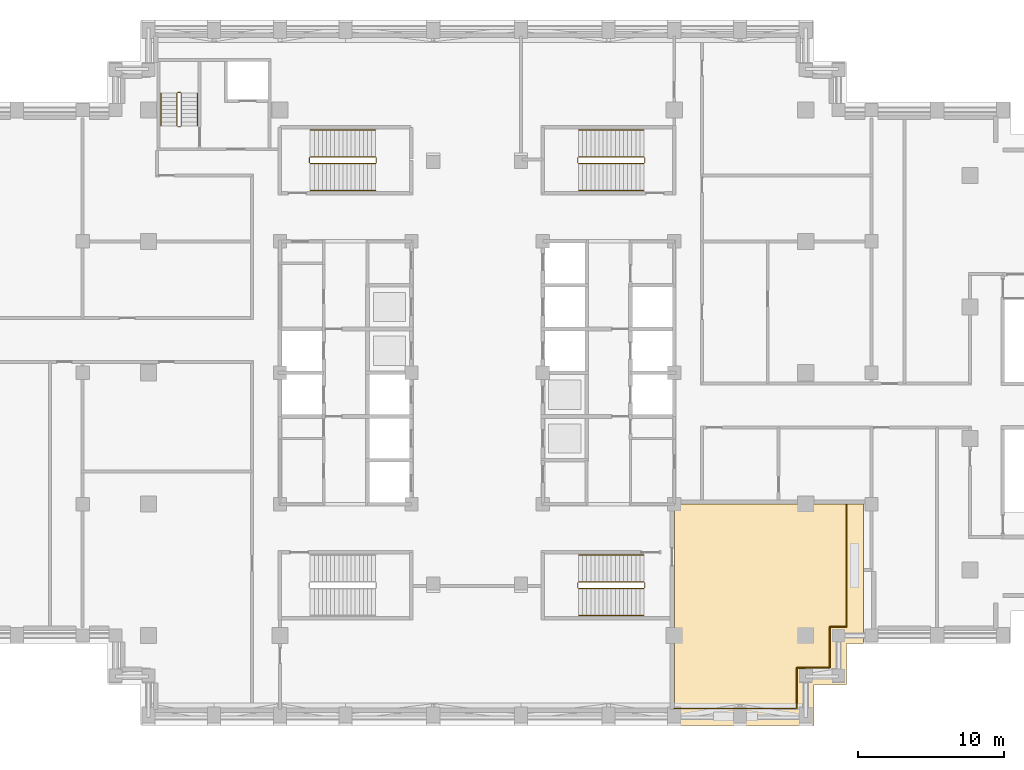
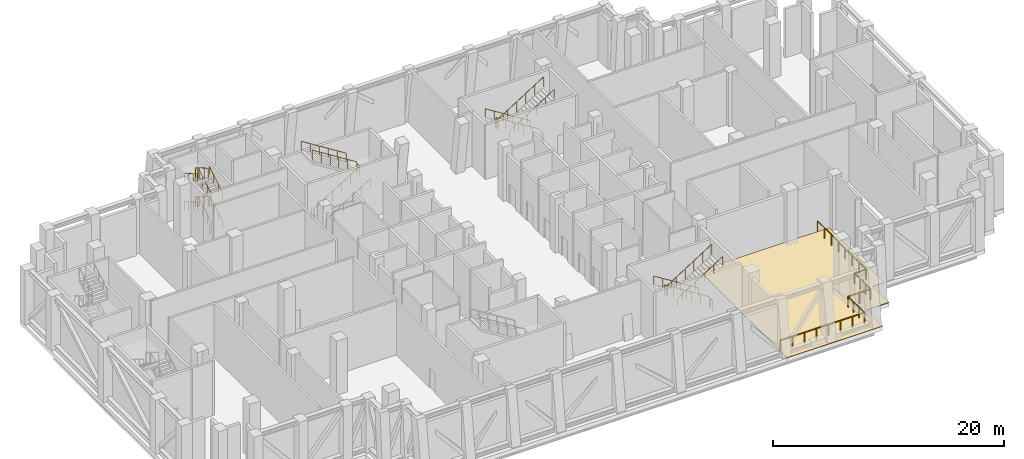
# One storey, part 12 of 14: 5 railings, 1 covering.
"""IFC4 building model written with IfcOpenShell, lengths in metres."""

from ifc_helpers import new_model, si_unit, direction, frame, origin, origin_2d, place, context, subcontext, project, spatial, polyline, circle, outline, extrude, material, layer, layer_set, type_object, element, save


model = new_model("IFC4")

# Units and contexts
model_context = context("Model", 3, precision=1e-05, world=origin(), true_north=direction((0.0, 1.0)))
body_context = subcontext(model_context, "Body", "Model", "MODEL_VIEW")
ifc_project = project(units=[si_unit("LENGTHUNIT", "METRE"), si_unit("AREAUNIT", "SQUARE_METRE"), si_unit("VOLUMEUNIT", "CUBIC_METRE"), si_unit("PLANEANGLEUNIT", "RADIAN"), si_unit("MASSUNIT", "GRAM", prefix="KILO")], contexts=[model_context])

# Site, building, storey
site_placement = place(None, origin())
site = spatial("IfcSite", under=ifc_project, at=site_placement, CompositionType="ELEMENT")
building_placement = place(site_placement, origin())
building = spatial("IfcBuilding", under=site, at=building_placement, Name="Corbelhall Arena Tower", CompositionType="ELEMENT")
storey_placement = place(building_placement, frame((0.0, 0.0, 178.0)))
storey = spatial("IfcBuildingStorey", under=building, at=storey_placement, Name="L36", CompositionType="ELEMENT", Elevation=178.0)

# Railing
ifc_material_1 = material(Name="Steel ASTM A500 Gr C", Category="steel")
railing_type_1 = type_object("IfcRailingType", Name="EV-GD1 Terrace guard 1100", PredefinedType="GUARDRAIL", material=ifc_material_1)
railing_1_placement = place(storey_placement, frame((25.2900390625, -9.0, 0.0400390625)))
element("IfcRailing", 1, at=railing_1_placement, inside=storey, type_object=railing_type_1, Name="Guard", PredefinedType="GUARDRAIL", context=body_context, shape_type="SweptSolid", body=[
    extrude(circle(Radius=0.02392578125, at=origin_2d()), frame((0.0, 0.0, 1.1259765625), z_axis=(0.0, -1.0, 0.0), x_axis=(1.0, 0.0, 0.0)), (0.0, 0.0, 1.0), 8.389892578125),
    extrude(circle(Radius=0.02392578125, at=origin_2d()), frame((0.0, -8.389892578125, 1.1259765625), z_axis=(-1.0, 0.0, 0.0), x_axis=(0.0, -1.0, 0.0)), (0.0, 0.0, 1.0), 1.150146484375),
    extrude(circle(Radius=0.02392578125, at=origin_2d()), frame((-1.150146484375, -8.389892578125, 1.1259765625), z_axis=(0.0, -1.0, 0.0), x_axis=(1.0, 0.0, 0.0)), (0.0, 0.0, 1.0), 2.800048828125),
    extrude(circle(Radius=0.02392578125, at=origin_2d()), frame((-1.150146484375, -11.18994140625, 1.1259765625), z_axis=(-1.0, 0.0, 0.0), x_axis=(0.0, -1.0, 0.0)), (0.0, 0.0, 1.0), 2.25),
    extrude(circle(Radius=0.02392578125, at=origin_2d()), frame((-3.400146484375, -11.18994140625, 1.1259765625), z_axis=(0.0, -1.0, 0.0), x_axis=(1.0, 0.0, 0.0)), (0.0, 0.0, 1.0), 2.800048828125),
    extrude(circle(Radius=0.02392578125, at=origin_2d()), frame((-3.400146484375, -13.989990234375, 1.1259765625), z_axis=(-1.0, 0.0, 0.0), x_axis=(0.0, -1.0, 0.0)), (0.0, 0.0, 1.0), 8.389892578125),
    extrude(circle(Radius=0.02099609375, at=origin_2d()), origin(), (0.0, 0.0, 1.0), 1.101806640625),
    extrude(circle(Radius=0.02099609375, at=origin_2d()), frame((0.0, -1.198486328125, 0.0)), (0.0, 0.0, 1.0), 1.101806640625),
    extrude(circle(Radius=0.02099609375, at=origin_2d()), frame((0.0, -2.397216796875, 0.0)), (0.0, 0.0, 1.0), 1.101806640625),
    extrude(circle(Radius=0.02099609375, at=origin_2d()), frame((0.0, -3.595703125, 0.0)), (0.0, 0.0, 1.0), 1.101806640625),
    extrude(circle(Radius=0.02099609375, at=origin_2d()), frame((0.0, -4.794189453125, 0.0)), (0.0, 0.0, 1.0), 1.101806640625),
    extrude(circle(Radius=0.02099609375, at=origin_2d()), frame((0.0, -5.99267578125, 0.0)), (0.0, 0.0, 1.0), 1.101806640625),
    extrude(circle(Radius=0.02099609375, at=origin_2d()), frame((0.0, -7.19140625, 0.0)), (0.0, 0.0, 1.0), 1.101806640625),
    extrude(circle(Radius=0.02099609375, at=origin_2d()), frame((0.0, -8.389892578125, 0.0)), (0.0, 0.0, 1.0), 1.101806640625),
    extrude(circle(Radius=0.02099609375, at=origin_2d()), frame((-1.150146484375, -8.389892578125, 0.0)), (0.0, 0.0, 1.0), 1.101806640625),
    extrude(circle(Radius=0.02099609375, at=origin_2d()), frame((-1.150146484375, -9.3232421875, 0.0)), (0.0, 0.0, 1.0), 1.101806640625),
    extrude(circle(Radius=0.02099609375, at=origin_2d()), frame((-1.150146484375, -10.256591796875, 0.0)), (0.0, 0.0, 1.0), 1.101806640625),
    extrude(circle(Radius=0.02099609375, at=origin_2d()), frame((-1.150146484375, -11.18994140625, 0.0)), (0.0, 0.0, 1.0), 1.101806640625),
    extrude(circle(Radius=0.02099609375, at=origin_2d()), frame((-2.275146484375, -11.18994140625, 0.0)), (0.0, 0.0, 1.0), 1.101806640625),
    extrude(circle(Radius=0.02099609375, at=origin_2d()), frame((-3.400146484375, -11.18994140625, 0.0)), (0.0, 0.0, 1.0), 1.101806640625),
    extrude(circle(Radius=0.02099609375, at=origin_2d()), frame((-3.400146484375, -12.123291015625, 0.0)), (0.0, 0.0, 1.0), 1.101806640625),
    extrude(circle(Radius=0.02099609375, at=origin_2d()), frame((-3.400146484375, -13.056640625, 0.0)), (0.0, 0.0, 1.0), 1.101806640625),
    extrude(circle(Radius=0.02099609375, at=origin_2d()), frame((-3.400146484375, -13.989990234375, 0.0)), (0.0, 0.0, 1.0), 1.101806640625),
    extrude(circle(Radius=0.02099609375, at=origin_2d()), frame((-4.5986328125, -13.989990234375, 0.0)), (0.0, 0.0, 1.0), 1.101806640625),
    extrude(circle(Radius=0.02099609375, at=origin_2d()), frame((-5.79736328125, -13.989990234375, 0.0)), (0.0, 0.0, 1.0), 1.101806640625),
    extrude(circle(Radius=0.02099609375, at=origin_2d()), frame((-6.995849609375, -13.989990234375, 0.0)), (0.0, 0.0, 1.0), 1.101806640625),
    extrude(circle(Radius=0.02099609375, at=origin_2d()), frame((-8.1943359375, -13.989990234375, 0.0)), (0.0, 0.0, 1.0), 1.101806640625),
    extrude(circle(Radius=0.02099609375, at=origin_2d()), frame((-9.392822265625, -13.989990234375, 0.0)), (0.0, 0.0, 1.0), 1.101806640625),
    extrude(circle(Radius=0.02099609375, at=origin_2d()), frame((-10.591552734375, -13.989990234375, 0.0)), (0.0, 0.0, 1.0), 1.101806640625),
    extrude(circle(Radius=0.02099609375, at=origin_2d()), frame((-11.7900390625, -13.989990234375, 0.0)), (0.0, 0.0, 1.0), 1.101806640625),
])

# Covering
ifc_material_2 = material(Name="Granite paving", Category="masonry")
ifc_layer = layer(ifc_material_2, 0.0400390625)
ifc_layer_set = layer_set([ifc_layer], Name="EV-PV1 Terrace paving 40")
covering_type = type_object("IfcCoveringType", Name="EV-PV1 Terrace paving 40", PredefinedType="FLOORING", material=ifc_layer_set)
covering_placement = place(storey_placement, origin())
element("IfcCovering", 2, at=covering_placement, inside=storey, type_object=covering_type, Name="Terrace paving", PredefinedType="FLOORING", context=body_context, shape_type="SweptSolid", body=[
    extrude(outline(polyline([(25.300048828125, -18.550048828125), (25.300048828125, -21.35009765625), (23.050048828125, -21.35009765625), (23.050048828125, -24.14990234375), (13.5, -24.14990234375), (13.5, -9.0), (26.449951171875, -9.0), (26.449951171875, -18.550048828125), (25.300048828125, -18.550048828125)])), origin(), (0.0, 0.0, 1.0), 0.0400390625),
])

# Railings
railing_type_2 = type_object("IfcRailingType", Name="IN-GD-1100", PredefinedType="GUARDRAIL", material=ifc_material_1)
railing_2_placement = place(storey_placement, frame((-11.425048828125, 14.324951171875, 0.176513671875)))
element("IfcRailing", 3, at=railing_2_placement, inside=storey, type_object=railing_type_2, Name="L36 ST1 stair guards and handrails", PredefinedType="GUARDRAIL", context=body_context, shape_type="SweptSolid", body=[
    extrude(circle(Radius=0.02392578125, at=origin_2d()), frame((0.0, 0.0, 1.076171875), z_axis=(0.845997938375, 0.0, 0.533186166611), x_axis=(0.0, 1.0, 0.0)), (0.0, 0.0, 1.0), 5.29541015625),
    extrude(circle(Radius=0.02392578125, at=origin_2d()), frame((4.530029296875, 0.050048828125, 3.8994140625), z_axis=(0.0, 1.0, 0.0), x_axis=(-1.0, 0.0, 0.0)), (0.0, 0.0, 1.0), 0.35009765625),
    extrude(circle(Radius=0.02392578125, at=origin_2d()), frame((4.47998046875, 0.449951171875, 4.076171875), z_axis=(-0.845997938375, 0.0, 0.533186166611), x_axis=(0.0, -1.0, 0.0)), (0.0, 0.0, 1.0), 5.29541015625),
    extrude(circle(Radius=0.02392578125, at=origin_2d()), frame((-0.050048828125, 0.050048828125, 0.8994140625), z_axis=(0.0, 1.0, 0.0), x_axis=(-1.0, 0.0, 0.0)), (0.0, 0.0, 1.0), 0.35009765625),
    extrude(circle(Radius=0.02392578125, at=origin_2d()), frame((0.0, -1.849853515625, 0.8759765625), z_axis=(0.845997938375, 0.0, 0.533186166611), x_axis=(0.0, 1.0, 0.0)), (0.0, 0.0, 1.0), 5.29541015625),
    extrude(circle(Radius=0.02392578125, at=origin_2d()), frame((4.47998046875, 2.300048828125, 3.8759765625), z_axis=(-0.845997938375, 0.0, 0.533186166611), x_axis=(0.0, -1.0, 0.0)), (0.0, 0.0, 1.0), 5.29541015625),
    extrude(circle(Radius=0.02099609375, at=origin_2d()), origin(), (0.0, 0.0, 1.0), 1.052001953125),
    extrude(circle(Radius=0.02099609375, at=origin_2d()), frame((0.89599609375, 0.0, 0.564697265625)), (0.0, 0.0, 1.0), 1.052001953125),
    extrude(circle(Radius=0.02099609375, at=origin_2d()), frame((1.7919921875, 0.0, 1.12939453125)), (0.0, 0.0, 1.0), 1.052001953125),
    extrude(circle(Radius=0.02099609375, at=origin_2d()), frame((2.68798828125, 0.0, 1.694091796875)), (0.0, 0.0, 1.0), 1.052001953125),
    extrude(circle(Radius=0.02099609375, at=origin_2d()), frame((3.583984375, 0.0, 2.2587890625)), (0.0, 0.0, 1.0), 1.052001953125),
    extrude(circle(Radius=0.02099609375, at=origin_2d()), frame((4.47998046875, 0.0, 2.823486328125)), (0.0, 0.0, 1.0), 1.052001953125),
    extrude(circle(Radius=0.02099609375, at=origin_2d()), frame((4.530029296875, 0.050048828125, 2.823486328125)), (0.0, 0.0, 1.0), 1.052001953125),
    extrude(circle(Radius=0.02099609375, at=origin_2d()), frame((4.530029296875, 0.400146484375, 2.823486328125)), (0.0, 0.0, 1.0), 1.052001953125),
    extrude(circle(Radius=0.02099609375, at=origin_2d()), frame((4.47998046875, 0.449951171875, 3.0)), (0.0, 0.0, 1.0), 1.052001953125),
    extrude(circle(Radius=0.02099609375, at=origin_2d()), frame((3.583984375, 0.449951171875, 3.564697265625)), (0.0, 0.0, 1.0), 1.052001953125),
    extrude(circle(Radius=0.02099609375, at=origin_2d()), frame((2.68798828125, 0.449951171875, 4.12939453125)), (0.0, 0.0, 1.0), 1.052001953125),
    extrude(circle(Radius=0.02099609375, at=origin_2d()), frame((1.7919921875, 0.449951171875, 4.694091796875)), (0.0, 0.0, 1.0), 1.052001953125),
    extrude(circle(Radius=0.02099609375, at=origin_2d()), frame((0.89599609375, 0.449951171875, 5.2587890625)), (0.0, 0.0, 1.0), 1.052001953125),
    extrude(circle(Radius=0.02099609375, at=origin_2d()), frame((0.0, 0.449951171875, 5.823486328125)), (0.0, 0.0, 1.0), 1.052001953125),
    extrude(circle(Radius=0.02099609375, at=origin_2d()), frame((-0.050048828125, 0.050048828125, -0.176513671875)), (0.0, 0.0, 1.0), 1.052001953125),
    extrude(circle(Radius=0.02099609375, at=origin_2d()), frame((-0.050048828125, 0.400146484375, -0.176513671875)), (0.0, 0.0, 1.0), 1.052001953125),
    extrude(circle(Radius=0.02099609375, at=origin_2d()), frame((0.0, -1.849853515625, 0.0)), (0.0, 0.0, 1.0), 0.851806640625),
    extrude(circle(Radius=0.02099609375, at=origin_2d()), frame((0.89599609375, -1.849853515625, 0.564697265625)), (0.0, 0.0, 1.0), 0.851806640625),
    extrude(circle(Radius=0.02099609375, at=origin_2d()), frame((1.7919921875, -1.849853515625, 1.12939453125)), (0.0, 0.0, 1.0), 0.851806640625),
    extrude(circle(Radius=0.02099609375, at=origin_2d()), frame((2.68798828125, -1.849853515625, 1.694091796875)), (0.0, 0.0, 1.0), 0.851806640625),
    extrude(circle(Radius=0.02099609375, at=origin_2d()), frame((3.583984375, -1.849853515625, 2.2587890625)), (0.0, 0.0, 1.0), 0.851806640625),
    extrude(circle(Radius=0.02099609375, at=origin_2d()), frame((4.47998046875, -1.849853515625, 2.823486328125)), (0.0, 0.0, 1.0), 0.851806640625),
    extrude(circle(Radius=0.02099609375, at=origin_2d()), frame((4.47998046875, 2.300048828125, 3.0)), (0.0, 0.0, 1.0), 0.851806640625),
    extrude(circle(Radius=0.02099609375, at=origin_2d()), frame((3.583984375, 2.300048828125, 3.564697265625)), (0.0, 0.0, 1.0), 0.851806640625),
    extrude(circle(Radius=0.02099609375, at=origin_2d()), frame((2.68798828125, 2.300048828125, 4.12939453125)), (0.0, 0.0, 1.0), 0.851806640625),
    extrude(circle(Radius=0.02099609375, at=origin_2d()), frame((1.7919921875, 2.300048828125, 4.694091796875)), (0.0, 0.0, 1.0), 0.851806640625),
    extrude(circle(Radius=0.02099609375, at=origin_2d()), frame((0.89599609375, 2.300048828125, 5.2587890625)), (0.0, 0.0, 1.0), 0.851806640625),
    extrude(circle(Radius=0.02099609375, at=origin_2d()), frame((0.0, 2.300048828125, 5.823486328125)), (0.0, 0.0, 1.0), 0.851806640625),
])
railing_3_placement = place(storey_placement, frame((11.425048828125, 14.77490234375, 0.176513671875)))
element("IfcRailing", 4, at=railing_3_placement, inside=storey, type_object=railing_type_2, Name="L36 ST3 stair guards and handrails", PredefinedType="GUARDRAIL", context=body_context, shape_type="SweptSolid", body=[
    extrude(circle(Radius=0.02392578125, at=origin_2d()), frame((0.0, 0.0, 1.076171875), z_axis=(-0.845997938375, 0.0, 0.533186166611), x_axis=(0.0, -1.0, 0.0)), (0.0, 0.0, 1.0), 5.29541015625),
    extrude(circle(Radius=0.02392578125, at=origin_2d()), frame((-4.530029296875, -0.0498046875, 3.8994140625), z_axis=(0.0, -1.0, 0.0), x_axis=(1.0, 0.0, 0.0)), (0.0, 0.0, 1.0), 0.35009765625),
    extrude(circle(Radius=0.02392578125, at=origin_2d()), frame((-4.47998046875, -0.449951171875, 4.076171875), z_axis=(0.845997938375, 0.0, 0.533186166611), x_axis=(0.0, 1.0, 0.0)), (0.0, 0.0, 1.0), 5.29541015625),
    extrude(circle(Radius=0.02392578125, at=origin_2d()), frame((0.050048828125, -0.0498046875, 0.8994140625), z_axis=(0.0, -1.0, 0.0), x_axis=(1.0, 0.0, 0.0)), (0.0, 0.0, 1.0), 0.35009765625),
    extrude(circle(Radius=0.02392578125, at=origin_2d()), frame((0.0, 1.85009765625, 0.8759765625), z_axis=(-0.845997938375, 0.0, 0.533186166611), x_axis=(0.0, -1.0, 0.0)), (0.0, 0.0, 1.0), 5.29541015625),
    extrude(circle(Radius=0.02392578125, at=origin_2d()), frame((-4.47998046875, -2.2998046875, 3.8759765625), z_axis=(0.845997938375, 0.0, 0.533186166611), x_axis=(0.0, 1.0, 0.0)), (0.0, 0.0, 1.0), 5.29541015625),
    extrude(circle(Radius=0.02099609375, at=origin_2d()), origin(), (0.0, 0.0, 1.0), 1.052001953125),
    extrude(circle(Radius=0.02099609375, at=origin_2d()), frame((-0.89599609375, 0.0, 0.564697265625)), (0.0, 0.0, 1.0), 1.052001953125),
    extrude(circle(Radius=0.02099609375, at=origin_2d()), frame((-1.7919921875, 0.0, 1.12939453125)), (0.0, 0.0, 1.0), 1.052001953125),
    extrude(circle(Radius=0.02099609375, at=origin_2d()), frame((-2.68798828125, 0.0, 1.694091796875)), (0.0, 0.0, 1.0), 1.052001953125),
    extrude(circle(Radius=0.02099609375, at=origin_2d()), frame((-3.583984375, 0.0, 2.2587890625)), (0.0, 0.0, 1.0), 1.052001953125),
    extrude(circle(Radius=0.02099609375, at=origin_2d()), frame((-4.47998046875, 0.0, 2.823486328125)), (0.0, 0.0, 1.0), 1.052001953125),
    extrude(circle(Radius=0.02099609375, at=origin_2d()), frame((-4.530029296875, -0.0498046875, 2.823486328125)), (0.0, 0.0, 1.0), 1.052001953125),
    extrude(circle(Radius=0.02099609375, at=origin_2d()), frame((-4.530029296875, -0.39990234375, 2.823486328125)), (0.0, 0.0, 1.0), 1.052001953125),
    extrude(circle(Radius=0.02099609375, at=origin_2d()), frame((-4.47998046875, -0.449951171875, 3.0)), (0.0, 0.0, 1.0), 1.052001953125),
    extrude(circle(Radius=0.02099609375, at=origin_2d()), frame((-3.583984375, -0.449951171875, 3.564697265625)), (0.0, 0.0, 1.0), 1.052001953125),
    extrude(circle(Radius=0.02099609375, at=origin_2d()), frame((-2.68798828125, -0.449951171875, 4.12939453125)), (0.0, 0.0, 1.0), 1.052001953125),
    extrude(circle(Radius=0.02099609375, at=origin_2d()), frame((-1.7919921875, -0.449951171875, 4.694091796875)), (0.0, 0.0, 1.0), 1.052001953125),
    extrude(circle(Radius=0.02099609375, at=origin_2d()), frame((-0.89599609375, -0.449951171875, 5.2587890625)), (0.0, 0.0, 1.0), 1.052001953125),
    extrude(circle(Radius=0.02099609375, at=origin_2d()), frame((0.0, -0.449951171875, 5.823486328125)), (0.0, 0.0, 1.0), 1.052001953125),
    extrude(circle(Radius=0.02099609375, at=origin_2d()), frame((0.050048828125, -0.0498046875, -0.176513671875)), (0.0, 0.0, 1.0), 1.052001953125),
    extrude(circle(Radius=0.02099609375, at=origin_2d()), frame((0.050048828125, -0.39990234375, -0.176513671875)), (0.0, 0.0, 1.0), 1.052001953125),
    extrude(circle(Radius=0.02099609375, at=origin_2d()), frame((0.0, 1.85009765625, 0.0)), (0.0, 0.0, 1.0), 0.851806640625),
    extrude(circle(Radius=0.02099609375, at=origin_2d()), frame((-0.89599609375, 1.85009765625, 0.564697265625)), (0.0, 0.0, 1.0), 0.851806640625),
    extrude(circle(Radius=0.02099609375, at=origin_2d()), frame((-1.7919921875, 1.85009765625, 1.12939453125)), (0.0, 0.0, 1.0), 0.851806640625),
    extrude(circle(Radius=0.02099609375, at=origin_2d()), frame((-2.68798828125, 1.85009765625, 1.694091796875)), (0.0, 0.0, 1.0), 0.851806640625),
    extrude(circle(Radius=0.02099609375, at=origin_2d()), frame((-3.583984375, 1.85009765625, 2.2587890625)), (0.0, 0.0, 1.0), 0.851806640625),
    extrude(circle(Radius=0.02099609375, at=origin_2d()), frame((-4.47998046875, 1.85009765625, 2.823486328125)), (0.0, 0.0, 1.0), 0.851806640625),
    extrude(circle(Radius=0.02099609375, at=origin_2d()), frame((-4.47998046875, -2.2998046875, 3.0)), (0.0, 0.0, 1.0), 0.851806640625),
    extrude(circle(Radius=0.02099609375, at=origin_2d()), frame((-3.583984375, -2.2998046875, 3.564697265625)), (0.0, 0.0, 1.0), 0.851806640625),
    extrude(circle(Radius=0.02099609375, at=origin_2d()), frame((-2.68798828125, -2.2998046875, 4.12939453125)), (0.0, 0.0, 1.0), 0.851806640625),
    extrude(circle(Radius=0.02099609375, at=origin_2d()), frame((-1.7919921875, -2.2998046875, 4.694091796875)), (0.0, 0.0, 1.0), 0.851806640625),
    extrude(circle(Radius=0.02099609375, at=origin_2d()), frame((-0.89599609375, -2.2998046875, 5.2587890625)), (0.0, 0.0, 1.0), 0.851806640625),
    extrude(circle(Radius=0.02099609375, at=origin_2d()), frame((0.0, -2.2998046875, 5.823486328125)), (0.0, 0.0, 1.0), 0.851806640625),
])
railing_4_placement = place(storey_placement, frame((11.425048828125, -14.324951171875, 0.176513671875)))
element("IfcRailing", 5, at=railing_4_placement, inside=storey, type_object=railing_type_2, Name="L36 ST4 stair guards and handrails", PredefinedType="GUARDRAIL", context=body_context, shape_type="SweptSolid", body=[
    extrude(circle(Radius=0.02392578125, at=origin_2d()), frame((0.0, 0.0, 1.076171875), z_axis=(-0.845997938375, 0.0, 0.533186166611), x_axis=(0.0, -1.0, 0.0)), (0.0, 0.0, 1.0), 5.29541015625),
    extrude(circle(Radius=0.02392578125, at=origin_2d()), frame((-4.530029296875, -0.050048828125, 3.8994140625), z_axis=(0.0, -1.0, 0.0), x_axis=(1.0, 0.0, 0.0)), (0.0, 0.0, 1.0), 0.35009765625),
    extrude(circle(Radius=0.02392578125, at=origin_2d()), frame((-4.47998046875, -0.449951171875, 4.076171875), z_axis=(0.845997938375, 0.0, 0.533186166611), x_axis=(0.0, 1.0, 0.0)), (0.0, 0.0, 1.0), 5.29541015625),
    extrude(circle(Radius=0.02392578125, at=origin_2d()), frame((0.050048828125, -0.050048828125, 0.8994140625), z_axis=(0.0, -1.0, 0.0), x_axis=(1.0, 0.0, 0.0)), (0.0, 0.0, 1.0), 0.35009765625),
    extrude(circle(Radius=0.02392578125, at=origin_2d()), frame((0.0, 1.849853515625, 0.8759765625), z_axis=(-0.845997938375, 0.0, 0.533186166611), x_axis=(0.0, -1.0, 0.0)), (0.0, 0.0, 1.0), 5.29541015625),
    extrude(circle(Radius=0.02392578125, at=origin_2d()), frame((-4.47998046875, -2.300048828125, 3.8759765625), z_axis=(0.845997938375, 0.0, 0.533186166611), x_axis=(0.0, 1.0, 0.0)), (0.0, 0.0, 1.0), 5.29541015625),
    extrude(circle(Radius=0.02099609375, at=origin_2d()), origin(), (0.0, 0.0, 1.0), 1.052001953125),
    extrude(circle(Radius=0.02099609375, at=origin_2d()), frame((-0.89599609375, 0.0, 0.564697265625)), (0.0, 0.0, 1.0), 1.052001953125),
    extrude(circle(Radius=0.02099609375, at=origin_2d()), frame((-1.7919921875, 0.0, 1.12939453125)), (0.0, 0.0, 1.0), 1.052001953125),
    extrude(circle(Radius=0.02099609375, at=origin_2d()), frame((-2.68798828125, 0.0, 1.694091796875)), (0.0, 0.0, 1.0), 1.052001953125),
    extrude(circle(Radius=0.02099609375, at=origin_2d()), frame((-3.583984375, 0.0, 2.2587890625)), (0.0, 0.0, 1.0), 1.052001953125),
    extrude(circle(Radius=0.02099609375, at=origin_2d()), frame((-4.47998046875, 0.0, 2.823486328125)), (0.0, 0.0, 1.0), 1.052001953125),
    extrude(circle(Radius=0.02099609375, at=origin_2d()), frame((-4.530029296875, -0.050048828125, 2.823486328125)), (0.0, 0.0, 1.0), 1.052001953125),
    extrude(circle(Radius=0.02099609375, at=origin_2d()), frame((-4.530029296875, -0.400146484375, 2.823486328125)), (0.0, 0.0, 1.0), 1.052001953125),
    extrude(circle(Radius=0.02099609375, at=origin_2d()), frame((-4.47998046875, -0.449951171875, 3.0)), (0.0, 0.0, 1.0), 1.052001953125),
    extrude(circle(Radius=0.02099609375, at=origin_2d()), frame((-3.583984375, -0.449951171875, 3.564697265625)), (0.0, 0.0, 1.0), 1.052001953125),
    extrude(circle(Radius=0.02099609375, at=origin_2d()), frame((-2.68798828125, -0.449951171875, 4.12939453125)), (0.0, 0.0, 1.0), 1.052001953125),
    extrude(circle(Radius=0.02099609375, at=origin_2d()), frame((-1.7919921875, -0.449951171875, 4.694091796875)), (0.0, 0.0, 1.0), 1.052001953125),
    extrude(circle(Radius=0.02099609375, at=origin_2d()), frame((-0.89599609375, -0.449951171875, 5.2587890625)), (0.0, 0.0, 1.0), 1.052001953125),
    extrude(circle(Radius=0.02099609375, at=origin_2d()), frame((0.0, -0.449951171875, 5.823486328125)), (0.0, 0.0, 1.0), 1.052001953125),
    extrude(circle(Radius=0.02099609375, at=origin_2d()), frame((0.050048828125, -0.050048828125, -0.176513671875)), (0.0, 0.0, 1.0), 1.052001953125),
    extrude(circle(Radius=0.02099609375, at=origin_2d()), frame((0.050048828125, -0.400146484375, -0.176513671875)), (0.0, 0.0, 1.0), 1.052001953125),
    extrude(circle(Radius=0.02099609375, at=origin_2d()), frame((0.0, 1.849853515625, 0.0)), (0.0, 0.0, 1.0), 0.851806640625),
    extrude(circle(Radius=0.02099609375, at=origin_2d()), frame((-0.89599609375, 1.849853515625, 0.564697265625)), (0.0, 0.0, 1.0), 0.851806640625),
    extrude(circle(Radius=0.02099609375, at=origin_2d()), frame((-1.7919921875, 1.849853515625, 1.12939453125)), (0.0, 0.0, 1.0), 0.851806640625),
    extrude(circle(Radius=0.02099609375, at=origin_2d()), frame((-2.68798828125, 1.849853515625, 1.694091796875)), (0.0, 0.0, 1.0), 0.851806640625),
    extrude(circle(Radius=0.02099609375, at=origin_2d()), frame((-3.583984375, 1.849853515625, 2.2587890625)), (0.0, 0.0, 1.0), 0.851806640625),
    extrude(circle(Radius=0.02099609375, at=origin_2d()), frame((-4.47998046875, 1.849853515625, 2.823486328125)), (0.0, 0.0, 1.0), 0.851806640625),
    extrude(circle(Radius=0.02099609375, at=origin_2d()), frame((-4.47998046875, -2.300048828125, 3.0)), (0.0, 0.0, 1.0), 0.851806640625),
    extrude(circle(Radius=0.02099609375, at=origin_2d()), frame((-3.583984375, -2.300048828125, 3.564697265625)), (0.0, 0.0, 1.0), 0.851806640625),
    extrude(circle(Radius=0.02099609375, at=origin_2d()), frame((-2.68798828125, -2.300048828125, 4.12939453125)), (0.0, 0.0, 1.0), 0.851806640625),
    extrude(circle(Radius=0.02099609375, at=origin_2d()), frame((-1.7919921875, -2.300048828125, 4.694091796875)), (0.0, 0.0, 1.0), 0.851806640625),
    extrude(circle(Radius=0.02099609375, at=origin_2d()), frame((-0.89599609375, -2.300048828125, 5.2587890625)), (0.0, 0.0, 1.0), 0.851806640625),
    extrude(circle(Radius=0.02099609375, at=origin_2d()), frame((0.0, -2.300048828125, 5.823486328125)), (0.0, 0.0, 1.0), 0.851806640625),
])
railing_5_placement = place(storey_placement, frame((-20.2451171875, 16.89990234375, 0.166748046875)))
element("IfcRailing", 6, at=railing_5_placement, inside=storey, type_object=railing_type_2, Name="L36 ST5 stair guards and handrails", PredefinedType="GUARDRAIL", context=body_context, shape_type="SweptSolid", body=[
    extrude(circle(Radius=0.02392578125, at=origin_2d()), frame((0.0, 0.0, 1.076171875), z_axis=(0.0, 0.859305625298, 0.511462454469), x_axis=(-1.0, 0.0, 0.0)), (0.0, 0.0, 1.0), 2.606689453125),
    extrude(circle(Radius=0.02392578125, at=origin_2d()), frame((-0.0498046875, 2.2900390625, 2.4091796875), z_axis=(-1.0, 0.0, 0.0), x_axis=(0.0, -1.0, 0.0)), (0.0, 0.0, 1.0), 0.2001953125),
    extrude(circle(Radius=0.02392578125, at=origin_2d()), frame((-0.2998046875, 2.239990234375, 2.576171875), z_axis=(0.0, -0.859305625298, 0.511462454469), x_axis=(1.0, 0.0, 0.0)), (0.0, 0.0, 1.0), 2.606689453125),
    extrude(circle(Radius=0.02392578125, at=origin_2d()), frame((-0.0498046875, -0.0498046875, 3.9091796875), z_axis=(-1.0, 0.0, 0.0), x_axis=(0.0, -1.0, 0.0)), (0.0, 0.0, 1.0), 0.2001953125),
    extrude(circle(Radius=0.02392578125, at=origin_2d()), frame((0.0, 0.0, 4.076171875), z_axis=(0.0, 0.859305625298, 0.511462454469), x_axis=(-1.0, 0.0, 0.0)), (0.0, 0.0, 1.0), 2.606689453125),
    extrude(circle(Radius=0.02392578125, at=origin_2d()), frame((-0.0498046875, 2.2900390625, 5.4091796875), z_axis=(-1.0, 0.0, 0.0), x_axis=(0.0, -1.0, 0.0)), (0.0, 0.0, 1.0), 0.2001953125),
    extrude(circle(Radius=0.02392578125, at=origin_2d()), frame((-0.2998046875, 2.239990234375, 5.576171875), z_axis=(0.0, -0.859305625298, 0.511462454469), x_axis=(1.0, 0.0, 0.0)), (0.0, 0.0, 1.0), 2.606689453125),
    extrude(circle(Radius=0.02392578125, at=origin_2d()), frame((-0.0498046875, -0.0498046875, 0.9091796875), z_axis=(-1.0, 0.0, 0.0), x_axis=(0.0, -1.0, 0.0)), (0.0, 0.0, 1.0), 0.2001953125),
    extrude(circle(Radius=0.02392578125, at=origin_2d()), frame((1.10009765625, 0.0, 0.8759765625), z_axis=(0.0, 0.859305625298, 0.511462454469), x_axis=(-1.0, 0.0, 0.0)), (0.0, 0.0, 1.0), 2.606689453125),
    extrude(circle(Radius=0.02392578125, at=origin_2d()), frame((-1.39990234375, 2.239990234375, 2.3759765625), z_axis=(0.0, -0.859305625298, 0.511462454469), x_axis=(1.0, 0.0, 0.0)), (0.0, 0.0, 1.0), 2.606689453125),
    extrude(circle(Radius=0.02392578125, at=origin_2d()), frame((1.10009765625, 0.0, 3.8759765625), z_axis=(0.0, 0.859305625298, 0.511462454469), x_axis=(-1.0, 0.0, 0.0)), (0.0, 0.0, 1.0), 2.606689453125),
    extrude(circle(Radius=0.02392578125, at=origin_2d()), frame((-1.39990234375, 2.239990234375, 5.3759765625), z_axis=(0.0, -0.859305625298, 0.511462454469), x_axis=(1.0, 0.0, 0.0)), (0.0, 0.0, 1.0), 2.606689453125),
    extrude(circle(Radius=0.02099609375, at=origin_2d()), origin(), (0.0, 0.0, 1.0), 1.052001953125),
    extrude(circle(Radius=0.02099609375, at=origin_2d()), frame((0.0, 0.74658203125, 0.4443359375)), (0.0, 0.0, 1.0), 1.052001953125),
    extrude(circle(Radius=0.02099609375, at=origin_2d()), frame((0.0, 1.493408203125, 0.888916015625)), (0.0, 0.0, 1.0), 1.052001953125),
    extrude(circle(Radius=0.02099609375, at=origin_2d()), frame((0.0, 2.239990234375, 1.333251953125)), (0.0, 0.0, 1.0), 1.052001953125),
    extrude(circle(Radius=0.02099609375, at=origin_2d()), frame((-0.0498046875, 2.2900390625, 1.333251953125)), (0.0, 0.0, 1.0), 1.052001953125),
    extrude(circle(Radius=0.02099609375, at=origin_2d()), frame((-0.25, 2.2900390625, 1.333251953125)), (0.0, 0.0, 1.0), 1.052001953125),
    extrude(circle(Radius=0.02099609375, at=origin_2d()), frame((-0.2998046875, 2.239990234375, 1.5)), (0.0, 0.0, 1.0), 1.052001953125),
    extrude(circle(Radius=0.02099609375, at=origin_2d()), frame((-0.2998046875, 1.493408203125, 1.9443359375)), (0.0, 0.0, 1.0), 1.052001953125),
    extrude(circle(Radius=0.02099609375, at=origin_2d()), frame((-0.2998046875, 0.74658203125, 2.388916015625)), (0.0, 0.0, 1.0), 1.052001953125),
    extrude(circle(Radius=0.02099609375, at=origin_2d()), frame((-0.2998046875, 0.0, 2.833251953125)), (0.0, 0.0, 1.0), 1.052001953125),
    extrude(circle(Radius=0.02099609375, at=origin_2d()), frame((-0.0498046875, -0.0498046875, 2.833251953125)), (0.0, 0.0, 1.0), 1.052001953125),
    extrude(circle(Radius=0.02099609375, at=origin_2d()), frame((-0.25, -0.0498046875, 2.833251953125)), (0.0, 0.0, 1.0), 1.052001953125),
    extrude(circle(Radius=0.02099609375, at=origin_2d()), frame((0.0, 0.0, 3.0)), (0.0, 0.0, 1.0), 1.052001953125),
    extrude(circle(Radius=0.02099609375, at=origin_2d()), frame((0.0, 0.74658203125, 3.4443359375)), (0.0, 0.0, 1.0), 1.052001953125),
    extrude(circle(Radius=0.02099609375, at=origin_2d()), frame((0.0, 1.493408203125, 3.888916015625)), (0.0, 0.0, 1.0), 1.052001953125),
    extrude(circle(Radius=0.02099609375, at=origin_2d()), frame((0.0, 2.239990234375, 4.333251953125)), (0.0, 0.0, 1.0), 1.052001953125),
    extrude(circle(Radius=0.02099609375, at=origin_2d()), frame((-0.0498046875, 2.2900390625, 4.333251953125)), (0.0, 0.0, 1.0), 1.052001953125),
    extrude(circle(Radius=0.02099609375, at=origin_2d()), frame((-0.25, 2.2900390625, 4.333251953125)), (0.0, 0.0, 1.0), 1.052001953125),
    extrude(circle(Radius=0.02099609375, at=origin_2d()), frame((-0.2998046875, 2.239990234375, 4.5)), (0.0, 0.0, 1.0), 1.052001953125),
    extrude(circle(Radius=0.02099609375, at=origin_2d()), frame((-0.2998046875, 1.493408203125, 4.9443359375)), (0.0, 0.0, 1.0), 1.052001953125),
    extrude(circle(Radius=0.02099609375, at=origin_2d()), frame((-0.2998046875, 0.74658203125, 5.388916015625)), (0.0, 0.0, 1.0), 1.052001953125),
    extrude(circle(Radius=0.02099609375, at=origin_2d()), frame((-0.2998046875, 0.0, 5.833251953125)), (0.0, 0.0, 1.0), 1.052001953125),
    extrude(circle(Radius=0.02099609375, at=origin_2d()), frame((-0.0498046875, -0.0498046875, -0.166748046875)), (0.0, 0.0, 1.0), 1.052001953125),
    extrude(circle(Radius=0.02099609375, at=origin_2d()), frame((-0.25, -0.0498046875, -0.166748046875)), (0.0, 0.0, 1.0), 1.052001953125),
    extrude(circle(Radius=0.02099609375, at=origin_2d()), frame((1.10009765625, 0.0, 0.0)), (0.0, 0.0, 1.0), 0.851806640625),
    extrude(circle(Radius=0.02099609375, at=origin_2d()), frame((1.10009765625, 0.74658203125, 0.4443359375)), (0.0, 0.0, 1.0), 0.851806640625),
    extrude(circle(Radius=0.02099609375, at=origin_2d()), frame((1.10009765625, 1.493408203125, 0.888916015625)), (0.0, 0.0, 1.0), 0.851806640625),
    extrude(circle(Radius=0.02099609375, at=origin_2d()), frame((1.10009765625, 2.239990234375, 1.333251953125)), (0.0, 0.0, 1.0), 0.851806640625),
    extrude(circle(Radius=0.02099609375, at=origin_2d()), frame((-1.39990234375, 2.239990234375, 1.5)), (0.0, 0.0, 1.0), 0.851806640625),
    extrude(circle(Radius=0.02099609375, at=origin_2d()), frame((-1.39990234375, 1.493408203125, 1.9443359375)), (0.0, 0.0, 1.0), 0.851806640625),
    extrude(circle(Radius=0.02099609375, at=origin_2d()), frame((-1.39990234375, 0.74658203125, 2.388916015625)), (0.0, 0.0, 1.0), 0.851806640625),
    extrude(circle(Radius=0.02099609375, at=origin_2d()), frame((-1.39990234375, 0.0, 2.833251953125)), (0.0, 0.0, 1.0), 0.851806640625),
    extrude(circle(Radius=0.02099609375, at=origin_2d()), frame((1.10009765625, 0.0, 3.0)), (0.0, 0.0, 1.0), 0.851806640625),
    extrude(circle(Radius=0.02099609375, at=origin_2d()), frame((1.10009765625, 0.74658203125, 3.4443359375)), (0.0, 0.0, 1.0), 0.851806640625),
    extrude(circle(Radius=0.02099609375, at=origin_2d()), frame((1.10009765625, 1.493408203125, 3.888916015625)), (0.0, 0.0, 1.0), 0.851806640625),
    extrude(circle(Radius=0.02099609375, at=origin_2d()), frame((1.10009765625, 2.239990234375, 4.333251953125)), (0.0, 0.0, 1.0), 0.851806640625),
    extrude(circle(Radius=0.02099609375, at=origin_2d()), frame((-1.39990234375, 2.239990234375, 4.5)), (0.0, 0.0, 1.0), 0.851806640625),
    extrude(circle(Radius=0.02099609375, at=origin_2d()), frame((-1.39990234375, 1.493408203125, 4.9443359375)), (0.0, 0.0, 1.0), 0.851806640625),
    extrude(circle(Radius=0.02099609375, at=origin_2d()), frame((-1.39990234375, 0.74658203125, 5.388916015625)), (0.0, 0.0, 1.0), 0.851806640625),
    extrude(circle(Radius=0.02099609375, at=origin_2d()), frame((-1.39990234375, 0.0, 5.833251953125)), (0.0, 0.0, 1.0), 0.851806640625),
])

save(model, "model.ifc")
